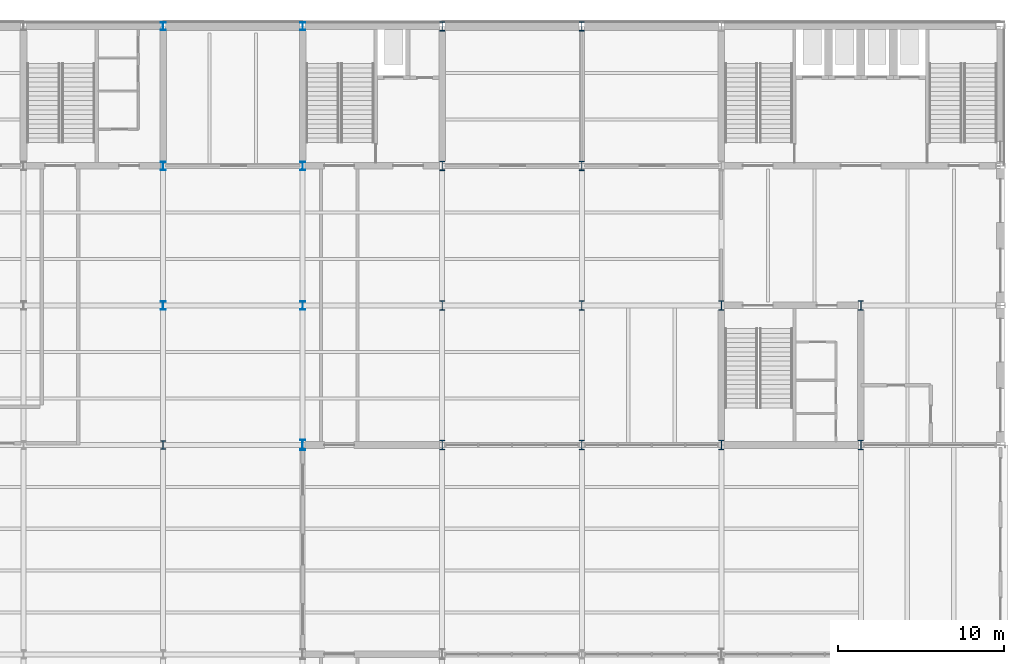
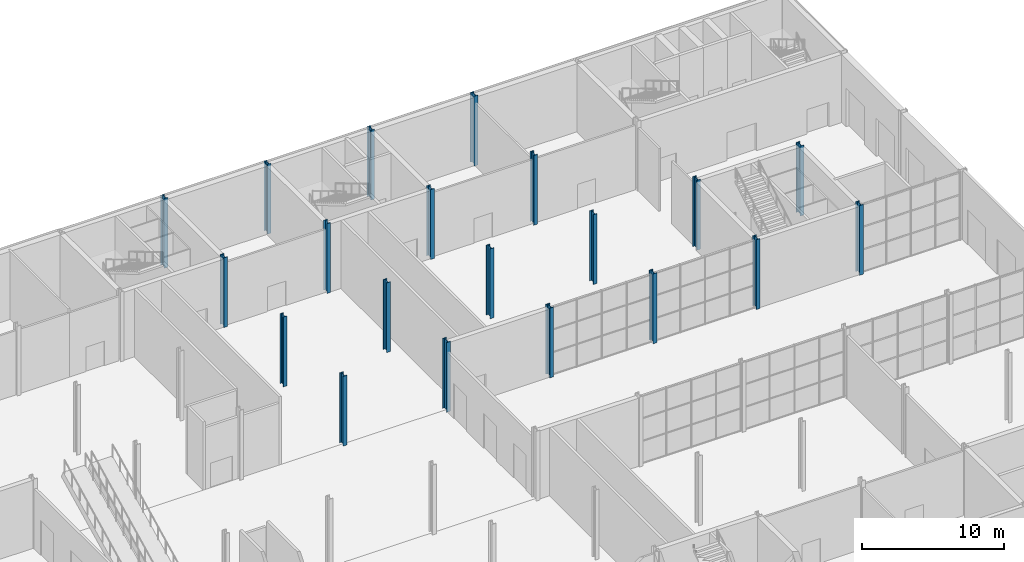
# One storey, part 7 of 55: 20 columns.
"""IFC4 building model written with IfcOpenShell, lengths in metres."""

from ifc_helpers import new_model, si_unit, direction, frame, origin, origin_2d, place, context, subcontext, project, spatial, i_section, extrude, material, material_profile, profile_set, type_object, element, save


model = new_model("IFC4")

# Units and contexts
model_context = context("Model", 3, precision=1e-05, world=origin(), true_north=direction((0.0, 1.0)))
body_context = subcontext(model_context, "Body", "Model", "MODEL_VIEW")
ifc_project = project(units=[si_unit("LENGTHUNIT", "METRE"), si_unit("AREAUNIT", "SQUARE_METRE"), si_unit("VOLUMEUNIT", "CUBIC_METRE"), si_unit("PLANEANGLEUNIT", "RADIAN"), si_unit("MASSUNIT", "GRAM", prefix="KILO")], contexts=[model_context])

# Site, building, storey
site_placement = place(None, origin())
site = spatial("IfcSite", under=ifc_project, at=site_placement, CompositionType="ELEMENT")
building_placement = place(site_placement, origin())
building = spatial("IfcBuilding", under=site, at=building_placement, Name="Galleria Vessillo Department Store", CompositionType="ELEMENT")
storey_placement = place(building_placement, origin())
storey = spatial("IfcBuildingStorey", under=building, at=storey_placement, Name="L00", CompositionType="ELEMENT", Elevation=0.0)

# Columns
ifc_material_1 = material(Name="Steel S355 J2", Category="steel")
ifc_material_profile_1 = material_profile(ifc_material_1, i_section(OverallWidth=0.300048828125, OverallDepth=0.5, WebThickness=0.014404296875, FlangeThickness=0.028076171875, FilletRadius=0.027099609375, at=origin_2d()), Name="HEB 500")
ifc_profile_set_1 = profile_set([ifc_material_profile_1], Name="Steel S355 J2")
column_type_1 = type_object("IfcColumnType", Name="Steel column HEB 500 CP1", PredefinedType="COLUMN", material=ifc_profile_set_1)
for number, where, z_axis, x_axis, name in (
    (1, (67.199951171875, 46.199951171875, 0.0), (0.0, 0.0, 1.0), (1.0, 0.0, 0.0), "S-COL-L00-9-F"),
    (2, (67.199951171875, 54.60009765625, 0.0), (0.0, 0.0, 1.0), (1.0, 0.0, 0.0), "S-COL-L00-9-G"),
    (3, (67.199951171875, 63.0, 0.0), (0.0, 0.0, 1.0), (1.0, 0.0, 0.0), "S-COL-L00-9-H"),
    (4, (75.60009765625, 46.199951171875, 0.0), (0.0, 0.0, 1.0), (1.0, 0.0, 0.0), "S-COL-L00-10-F"),
    (5, (75.60009765625, 54.60009765625, 0.0), (0.0, 0.0, 1.0), (1.0, 0.0, 0.0), "S-COL-L00-10-G"),
    (6, (75.60009765625, 63.0, 0.0), (0.0, 0.0, 1.0), (1.0, 0.0, 0.0), "S-COL-L00-10-H"),
):
    element("IfcColumn", number, at=place(storey_placement, frame(where, z_axis=z_axis, x_axis=x_axis)), inside=storey, type_object=column_type_1, Name=name, PredefinedType="COLUMN", context=body_context, shape_type="SweptSolid", body=[
        extrude(i_section(OverallWidth=0.300048828125, OverallDepth=0.5, WebThickness=0.014404296875, FlangeThickness=0.028076171875, FilletRadius=0.027099609375, at=origin_2d()), origin(), (0.0, 0.0, 1.0), 6.0),
    ])
ifc_material_2 = material(Name="Steel S355 J2", Category="steel")
ifc_material_profile_2 = material_profile(ifc_material_2, i_section(OverallWidth=0.305908203125, OverallDepth=0.52392578125, WebThickness=0.02099609375, FlangeThickness=0.0400390625, FilletRadius=0.027099609375, at=origin_2d()), Name="HEM 500")
ifc_profile_set_2 = profile_set([ifc_material_profile_2], Name="Steel S355 J2")
column_type_2 = type_object("IfcColumnType", Name="Steel column HEM 500 CV1", PredefinedType="COLUMN", material=ifc_profile_set_2)
column_1_placement = place(storey_placement, frame((67.199951171875, 37.800048828125, 0.0), z_axis=(0.0, 0.0, 1.0), x_axis=(1.0, 0.0, 0.0)))
element("IfcColumn", 7, at=column_1_placement, inside=storey, type_object=column_type_2, Name="S-COL-L00-9-E", PredefinedType="COLUMN", context=body_context, shape_type="SweptSolid", body=[
    extrude(i_section(OverallWidth=0.305908203125, OverallDepth=0.52392578125, WebThickness=0.02099609375, FlangeThickness=0.0400390625, FilletRadius=0.027099609375, at=origin_2d()), origin(), (0.0, 0.0, 1.0), 6.0),
])
ifc_material_3 = material(Name="Steel S355 J2", Category="steel")
ifc_material_profile_3 = material_profile(ifc_material_3, i_section(OverallWidth=0.305908203125, OverallDepth=0.572021484375, WebThickness=0.02099609375, FlangeThickness=0.0400390625, FilletRadius=0.027099609375, at=origin_2d()), Name="HEM 550")
ifc_profile_set_3 = profile_set([ifc_material_profile_3], Name="Steel S355 J2")
column_type_3 = type_object("IfcColumnType", Name="Steel column HEM 550 CT1", PredefinedType="COLUMN", material=ifc_profile_set_3)
for number, where, z_axis, x_axis, name in (
    (8, (84.0, 37.800048828125, 0.0), (0.0, 0.0, 1.0), (1.0, 0.0, 0.0), "S-COL-L00-11-E"),
    (9, (84.0, 46.199951171875, 0.0), (0.0, 0.0, 1.0), (1.0, 0.0, 0.0), "S-COL-L00-11-F"),
    (10, (84.0, 54.60009765625, 0.0), (0.0, 0.0, 1.0), (1.0, 0.0, 0.0), "S-COL-L00-11-G"),
    (11, (84.0, 63.0, 0.0), (0.0, 0.0, 1.0), (1.0, 0.0, 0.0), "S-COL-L00-11-H"),
    (12, (92.39990234375, 37.800048828125, 0.0), (0.0, 0.0, 1.0), (1.0, 0.0, 0.0), "S-COL-L00-12-E"),
    (13, (92.39990234375, 46.199951171875, 0.0), (0.0, 0.0, 1.0), (1.0, 0.0, 0.0), "S-COL-L00-12-F"),
    (14, (92.39990234375, 54.60009765625, 0.0), (0.0, 0.0, 1.0), (1.0, 0.0, 0.0), "S-COL-L00-12-G"),
    (15, (92.39990234375, 63.0, 0.0), (0.0, 0.0, 1.0), (1.0, 0.0, 0.0), "S-COL-L00-12-H"),
    (16, (100.800048828125, 37.800048828125, 0.0), (0.0, 0.0, 1.0), (1.0, 0.0, 0.0), "S-COL-L00-13-E"),
    (17, (100.800048828125, 46.199951171875, 0.0), (0.0, 0.0, 1.0), (1.0, 0.0, 0.0), "S-COL-L00-13-F"),
    (18, (109.199951171875, 37.800048828125, 0.0), (0.0, 0.0, 1.0), (1.0, 0.0, 0.0), "S-COL-L00-14-E"),
    (19, (109.199951171875, 46.199951171875, 0.0), (0.0, 0.0, 1.0), (1.0, 0.0, 0.0), "S-COL-L00-14-F"),
):
    element("IfcColumn", number, at=place(storey_placement, frame(where, z_axis=z_axis, x_axis=x_axis)), inside=storey, type_object=column_type_3, Name=name, PredefinedType="COLUMN", context=body_context, shape_type="SweptSolid", body=[
        extrude(i_section(OverallWidth=0.305908203125, OverallDepth=0.572021484375, WebThickness=0.02099609375, FlangeThickness=0.0400390625, FilletRadius=0.027099609375, at=origin_2d()), origin(), (0.0, 0.0, 1.0), 6.0),
    ])
ifc_material_4 = material(Name="Steel S355 J2", Category="steel")
ifc_material_profile_4 = material_profile(ifc_material_4, i_section(OverallWidth=0.304931640625, OverallDepth=0.6201171875, WebThickness=0.02099609375, FlangeThickness=0.0400390625, FilletRadius=0.027099609375, at=origin_2d()), Name="HEM 600")
ifc_profile_set_4 = profile_set([ifc_material_profile_4], Name="Steel S355 J2")
column_type_4 = type_object("IfcColumnType", Name="Steel column HEM 600 CV2", PredefinedType="COLUMN", material=ifc_profile_set_4)
column_2_placement = place(storey_placement, frame((75.60009765625, 37.800048828125, 0.0), z_axis=(0.0, 0.0, 1.0), x_axis=(1.0, 0.0, 0.0)))
element("IfcColumn", 20, at=column_2_placement, inside=storey, type_object=column_type_4, Name="S-COL-L00-10-E", PredefinedType="COLUMN", context=body_context, shape_type="SweptSolid", body=[
    extrude(i_section(OverallWidth=0.304931640625, OverallDepth=0.6201171875, WebThickness=0.02099609375, FlangeThickness=0.0400390625, FilletRadius=0.027099609375, at=origin_2d()), origin(), (0.0, 0.0, 1.0), 6.0),
])

save(model, "model.ifc")
